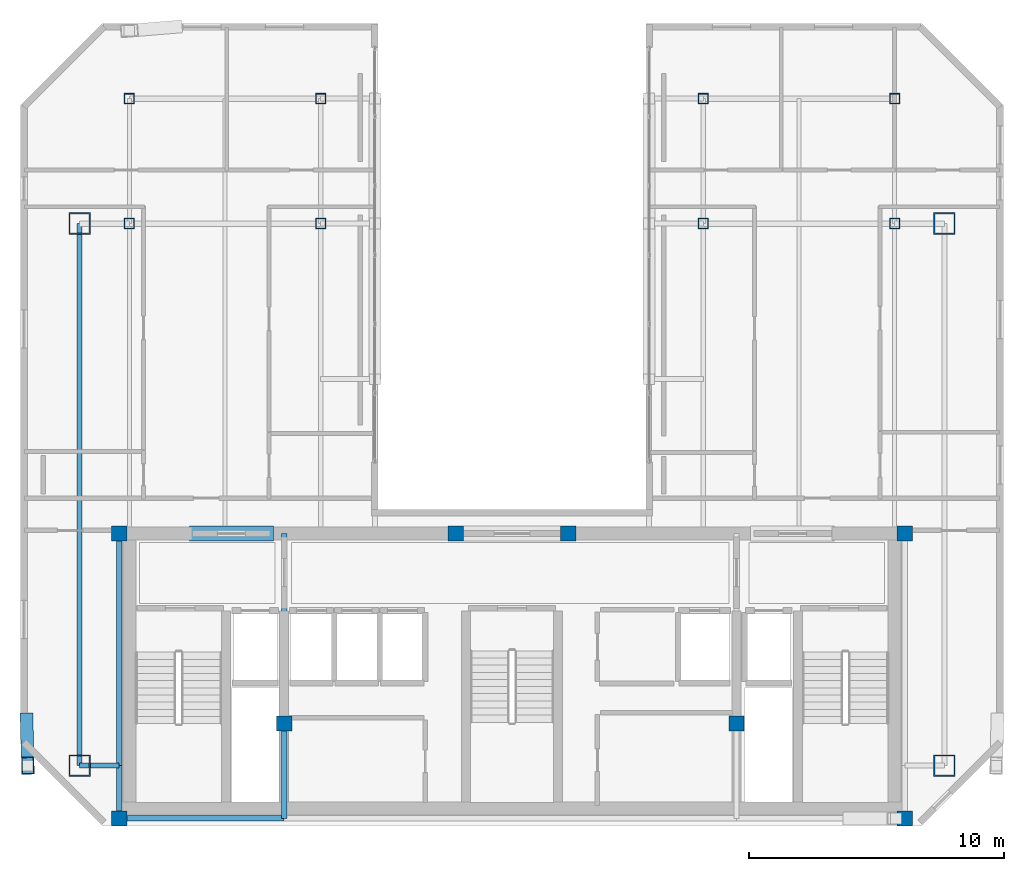
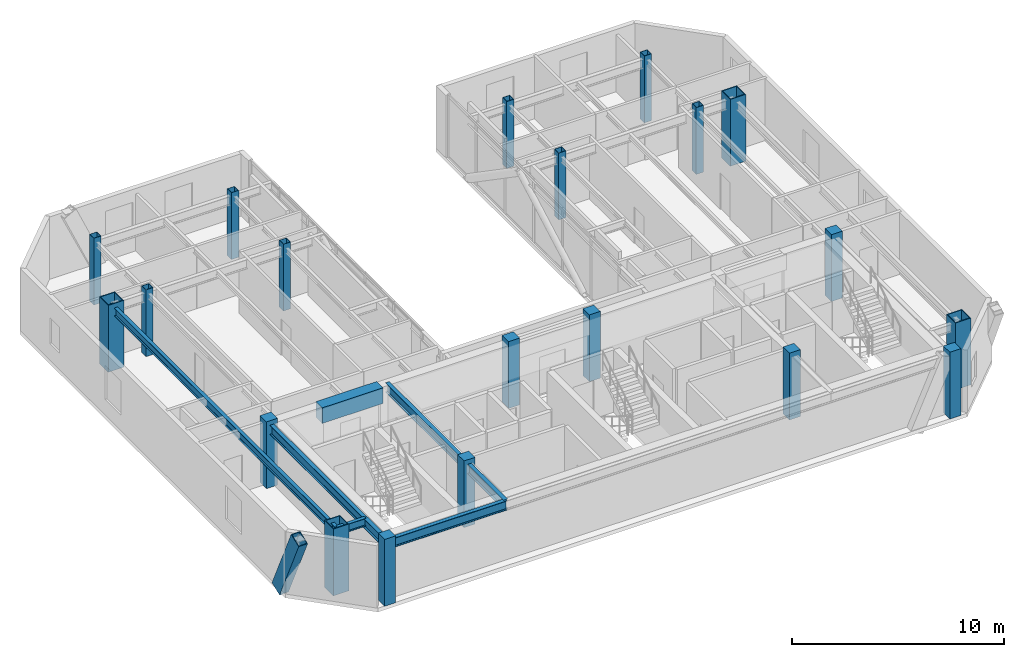
# One storey, part 1 of 19: 20 columns, 8 beams, 1 member.
"""IFC4 building model written with IfcOpenShell, lengths in metres."""

from ifc_helpers import new_model, si_unit, direction, frame, origin, origin_2d, place, context, subcontext, project, spatial, rectangle, hollow_rectangle, i_section, extrude, material, material_profile, profile_set, type_object, element, save


model = new_model("IFC4")

# Units and contexts
model_context = context("Model", 3, precision=1e-05, world=origin(), true_north=direction((0.0, 1.0)))
body_context = subcontext(model_context, "Body", "Model", "MODEL_VIEW")
ifc_project = project(units=[si_unit("LENGTHUNIT", "METRE"), si_unit("AREAUNIT", "SQUARE_METRE"), si_unit("VOLUMEUNIT", "CUBIC_METRE"), si_unit("PLANEANGLEUNIT", "RADIAN"), si_unit("MASSUNIT", "GRAM", prefix="KILO")], contexts=[model_context])

# Site, building, storey
site_placement = place(None, origin())
site = spatial("IfcSite", under=ifc_project, at=site_placement, CompositionType="ELEMENT")
building_placement = place(site_placement, origin())
building = spatial("IfcBuilding", under=site, at=building_placement, Name="Ventersveld Concourse Tower", CompositionType="ELEMENT")
storey_placement = place(building_placement, frame((0.0, 0.0, 345.199951171875)))
storey = spatial("IfcBuildingStorey", under=building, at=storey_placement, Name="L85", CompositionType="ELEMENT", Elevation=345.199951171875)

# Columns
ifc_material_1 = material(Name="Concrete C50/60", Category="concrete")
ifc_material_profile_1 = material_profile(ifc_material_1, rectangle(XDim=0.60009765625, YDim=0.60009765625, at=origin_2d()), Name="RC 600x600")
ifc_profile_set_1 = profile_set([ifc_material_profile_1], Name="Concrete C50/60")
column_type_1 = type_object("IfcColumnType", Name="COL-RC600", PredefinedType="COLUMN", material=ifc_profile_set_1)
for number, where, z_axis, x_axis, name in (
    (1, (13.35009765625, 0.280029296875, 0.0), (0.0, 0.0, 1.0), (1.0, 0.0, 0.0), "L85 Core Spine Column CC-SW"),
    (2, (44.14990234375, 0.280029296875, 0.0), (0.0, 0.0, 1.0), (1.0, 0.0, 0.0), "L85 Core Spine Column CC-SE"),
    (3, (13.35009765625, 11.449951171875, 0.0), (0.0, 0.0, 1.0), (1.0, 0.0, 0.0), "L85 Core Spine Column CC-NW"),
    (4, (44.14990234375, 11.449951171875, 0.0), (0.0, 0.0, 1.0), (1.0, 0.0, 0.0), "L85 Core Spine Column CC-NE"),
    (5, (19.820068359375, 4.0, 0.0), (0.0, 0.0, 1.0), (1.0, 0.0, 0.0), "L85 Core Spine Column CM-1"),
    (6, (37.550048828125, 4.0, 0.0), (0.0, 0.0, 1.0), (1.0, 0.0, 0.0), "L85 Core Spine Column CM-2"),
    (7, (26.550048828125, 11.449951171875, 0.0), (0.0, 0.0, 1.0), (1.0, 0.0, 0.0), "L85 Core Spine Column CM-3"),
    (8, (30.949951171875, 11.449951171875, 0.0), (0.0, 0.0, 1.0), (1.0, 0.0, 0.0), "L85 Core Spine Column CM-4"),
):
    element("IfcColumn", number, at=place(storey_placement, frame(where, z_axis=z_axis, x_axis=x_axis)), inside=storey, type_object=column_type_1, Name=name, PredefinedType="COLUMN", context=body_context, shape_type="SweptSolid", body=[
        extrude(rectangle(XDim=0.60009765625, YDim=0.60009765625, at=origin_2d()), origin(), (0.0, 0.0, 1.0), 3.85009765625),
    ])
ifc_material_2 = material(Name="Structural steel S355J2", Category="steel")
ifc_material_profile_2 = material_profile(ifc_material_2, hollow_rectangle(XDim=0.39990234375, YDim=0.39990234375, WallThickness=0.02001953125, at=origin_2d()), Name="SHS 400x400x20")
ifc_profile_set_2 = profile_set([ifc_material_profile_2], Name="Structural steel S355J2")
column_type_2 = type_object("IfcColumnType", Name="COL-SHS400", PredefinedType="COLUMN", material=ifc_profile_set_2)
for number, where, z_axis, x_axis, name in (
    (9, (13.75, 23.60009765625, 0.0), (0.0, 0.0, 1.0), (1.0, 0.0, 0.0), "L85 Interior Gravity Column X=13.75 Y=23.60"),
    (10, (21.25, 23.60009765625, 0.0), (0.0, 0.0, 1.0), (1.0, 0.0, 0.0), "L85 Interior Gravity Column X=21.25 Y=23.60"),
    (11, (36.25, 23.60009765625, 0.0), (0.0, 0.0, 1.0), (1.0, 0.0, 0.0), "L85 Interior Gravity Column X=36.25 Y=23.60"),
    (12, (43.75, 23.60009765625, 0.0), (0.0, 0.0, 1.0), (1.0, 0.0, 0.0), "L85 Interior Gravity Column X=43.75 Y=23.60"),
    (13, (13.75, 28.5, 0.0), (0.0, 0.0, 1.0), (1.0, 0.0, 0.0), "L85 Upper-North Gravity Column X=13.75 Y=28.50"),
    (14, (21.25, 28.5, 0.0), (0.0, 0.0, 1.0), (1.0, 0.0, 0.0), "L85 Upper-North Gravity Column X=21.25 Y=28.50"),
    (15, (36.25, 28.5, 0.0), (0.0, 0.0, 1.0), (1.0, 0.0, 0.0), "L85 Upper-North Gravity Column X=36.25 Y=28.50"),
    (16, (43.75, 28.5, 0.0), (0.0, 0.0, 1.0), (1.0, 0.0, 0.0), "L85 Upper-North Gravity Column X=43.75 Y=28.50"),
):
    element("IfcColumn", number, at=place(storey_placement, frame(where, z_axis=z_axis, x_axis=x_axis)), inside=storey, type_object=column_type_2, Name=name, PredefinedType="COLUMN", context=body_context, shape_type="SweptSolid", body=[
        extrude(hollow_rectangle(XDim=0.39990234375, YDim=0.39990234375, WallThickness=0.02001953125, at=origin_2d()), origin(), (0.0, 0.0, 1.0), 3.85009765625),
    ])
ifc_material_3 = material(Name="Structural steel S460ML", Category="steel")
ifc_material_profile_3 = material_profile(ifc_material_3, hollow_rectangle(XDim=0.85009765625, YDim=0.85009765625, WallThickness=0.050048828125, at=origin_2d()), Name="BOX 850x850x50")
ifc_profile_set_3 = profile_set([ifc_material_profile_3], Name="Structural steel S460ML")
column_type_3 = type_object("IfcColumnType", Name="MC-850", PredefinedType="USERDEFINED", material=ifc_profile_set_3)
for number, where, z_axis, x_axis, name in (
    (17, (11.800048828125, 2.35009765625, 0.0), (0.0, 0.0, 1.0), (1.0, 0.0, 0.0), "L85 Corner Mega-Column MC-SW"),
    (18, (45.699951171875, 2.35009765625, 0.0), (0.0, 0.0, 1.0), (1.0, 0.0, 0.0), "L85 Corner Mega-Column MC-SE"),
    (19, (45.699951171875, 23.60009765625, 0.0), (0.0, 0.0, 1.0), (1.0, 0.0, 0.0), "L85 Corner Mega-Column MC-NE"),
    (20, (11.800048828125, 23.60009765625, 0.0), (0.0, 0.0, 1.0), (1.0, 0.0, 0.0), "L85 Corner Mega-Column MC-NW"),
):
    element("IfcColumn", number, at=place(storey_placement, frame(where, z_axis=z_axis, x_axis=x_axis)), inside=storey, type_object=column_type_3, Name=name, ObjectType="MEGA_COLUMN", PredefinedType="USERDEFINED", context=body_context, shape_type="SweptSolid", body=[
        extrude(hollow_rectangle(XDim=0.85009765625, YDim=0.85009765625, WallThickness=0.050048828125, at=origin_2d()), origin(), (0.0, 0.0, 1.0), 3.85009765625),
    ])

# Beams
ifc_material_profile_4 = material_profile(ifc_material_1, rectangle(XDim=0.60009765625, YDim=0.89990234375, at=origin_2d()), Name="RC 600x900")
ifc_profile_set_4 = profile_set([ifc_material_profile_4], Name="Concrete C50/60")
beam_type_1 = type_object("IfcBeamType", Name="CB-RC600x900U", PredefinedType="LINTEL", material=ifc_profile_set_4)
beam_1_placement = place(storey_placement, frame((16.10009765625, 11.449951171875, 3.14013671875), z_axis=(1.0, 0.0, 0.0), x_axis=(0.0, 1.0, 0.0)))
element("IfcBeam", 21, at=beam_1_placement, inside=storey, type_object=beam_type_1, Name="L85 Core Coupling Lintel Beam 1", PredefinedType="LINTEL", context=body_context, shape_type="SweptSolid", body=[
    extrude(rectangle(XDim=0.60009765625, YDim=0.89990234375, at=origin_2d()), origin(), (0.0, 0.0, 1.0), 3.2998046875),
])
ifc_material_profile_5 = material_profile(ifc_material_2, i_section(OverallWidth=0.2119140625, OverallDepth=0.54443359375, WebThickness=0.0126953125, FlangeThickness=0.021240234375, FilletRadius=0.0126953125, at=origin_2d()), Name="UB 533x210x122")
ifc_profile_set_5 = profile_set([ifc_material_profile_5], Name="Structural steel S355J2")
beam_type_2 = type_object("IfcBeamType", Name="GRD-UB533H", PredefinedType="T_BEAM", material=ifc_profile_set_5)
beam_2_placement = place(storey_placement, frame((13.35009765625, 0.280029296875, 3.31787109375), z_axis=(0.0, 1.0, 0.0), x_axis=(-1.0, 0.0, 0.0)))
element("IfcBeam", 22, at=beam_2_placement, inside=storey, type_object=beam_type_2, Name="L85 Core West Tie Beam S", PredefinedType="T_BEAM", context=body_context, shape_type="SweptSolid", body=[
    extrude(i_section(OverallWidth=0.2119140625, OverallDepth=0.54443359375, WebThickness=0.0126953125, FlangeThickness=0.021240234375, FilletRadius=0.0126953125, at=origin_2d()), origin(), (0.0, 0.0, 1.0), 2.070068359375),
])
beam_3_placement = place(storey_placement, frame((13.35009765625, 2.35009765625, 3.31787109375), z_axis=(0.0, 1.0, 0.0), x_axis=(-1.0, 0.0, 0.0)))
element("IfcBeam", 23, at=beam_3_placement, inside=storey, type_object=beam_type_2, Name="L85 Core West Tie Beam N", PredefinedType="T_BEAM", context=body_context, shape_type="SweptSolid", body=[
    extrude(i_section(OverallWidth=0.2119140625, OverallDepth=0.54443359375, WebThickness=0.0126953125, FlangeThickness=0.021240234375, FilletRadius=0.0126953125, at=origin_2d()), origin(), (0.0, 0.0, 1.0), 9.099853515625),
])
beam_4_placement = place(storey_placement, frame((13.35009765625, 0.280029296875, 3.31787109375), z_axis=(1.0, 0.0, 0.0), x_axis=(0.0, 1.0, 0.0)))
element("IfcBeam", 24, at=beam_4_placement, inside=storey, type_object=beam_type_2, Name="L85 Core South Tie Beam W", PredefinedType="T_BEAM", context=body_context, shape_type="SweptSolid", body=[
    extrude(i_section(OverallWidth=0.2119140625, OverallDepth=0.54443359375, WebThickness=0.0126953125, FlangeThickness=0.021240234375, FilletRadius=0.0126953125, at=origin_2d()), origin(), (0.0, 0.0, 1.0), 6.469970703125),
])
beam_5_placement = place(storey_placement, frame((19.820068359375, 0.280029296875, 3.31787109375), z_axis=(0.0, 1.0, 0.0), x_axis=(-1.0, 0.0, 0.0)))
element("IfcBeam", 25, at=beam_5_placement, inside=storey, type_object=beam_type_2, Name="L85 Core Spine N-S Tie Beam W1", PredefinedType="T_BEAM", context=body_context, shape_type="SweptSolid", body=[
    extrude(i_section(OverallWidth=0.2119140625, OverallDepth=0.54443359375, WebThickness=0.0126953125, FlangeThickness=0.021240234375, FilletRadius=0.0126953125, at=origin_2d()), origin(), (0.0, 0.0, 1.0), 3.719970703125),
])
beam_6_placement = place(storey_placement, frame((19.820068359375, 4.0, 3.31787109375), z_axis=(0.0, 1.0, 0.0), x_axis=(-1.0, 0.0, 0.0)))
element("IfcBeam", 26, at=beam_6_placement, inside=storey, type_object=beam_type_2, Name="L85 Core Spine N-S Tie Beam W2", PredefinedType="T_BEAM", context=body_context, shape_type="SweptSolid", body=[
    extrude(i_section(OverallWidth=0.2119140625, OverallDepth=0.54443359375, WebThickness=0.0126953125, FlangeThickness=0.021240234375, FilletRadius=0.0126953125, at=origin_2d()), origin(), (0.0, 0.0, 1.0), 7.449951171875),
])

# Member
ifc_material_4 = material(Name="Structural steel S355ML", Category="steel")
ifc_material_profile_6 = material_profile(ifc_material_4, hollow_rectangle(XDim=0.5, YDim=0.75, WallThickness=0.034912109375, at=origin_2d()), Name="BOX 750x500x35")
ifc_profile_set_6 = profile_set([ifc_material_profile_6], Name="Structural steel S355ML")
member_type = type_object("IfcMemberType", Name="MB-750x500", PredefinedType="BRACE", material=ifc_profile_set_6)
member_placement = place(storey_placement, frame((9.7216796875, 4.073974609375, -0.219970703125), z_axis=(0.011675262949, -0.412195158425, 0.911020767934), x_axis=(0.99959909973, 0.028313244575, 0.0)))
element("IfcMember", 27, at=member_placement, inside=storey, type_object=member_type, Name="L85 Exterior Mega-Brace W (Module M20)", PredefinedType="BRACE", context=body_context, shape_type="SweptSolid", body=[
    extrude(hollow_rectangle(XDim=0.5, YDim=0.75, WallThickness=0.034912109375, at=origin_2d()), origin(), (0.0, 0.0, 1.0), 4.18212890625),
])

# Beams
ifc_material_profile_7 = material_profile(ifc_material_2, i_section(OverallWidth=0.19140625, OverallDepth=0.4599609375, WebThickness=0.010009765625, FlangeThickness=0.01611328125, FilletRadius=0.01025390625, at=origin_2d()), Name="UB 457x191x82")
ifc_profile_set_7 = profile_set([ifc_material_profile_7], Name="Structural steel S355J2")
beam_type_3 = type_object("IfcBeamType", Name="SPD-UB457", PredefinedType="SPANDREL", material=ifc_profile_set_7)
beam_7_placement = place(storey_placement, frame((11.800048828125, 2.35009765625, 3.360107421875), z_axis=(1.0, 0.0, 0.0), x_axis=(0.0, 1.0, 0.0)))
element("IfcBeam", 28, at=beam_7_placement, inside=storey, type_object=beam_type_3, Name="L85 SW Spandrel Beam", PredefinedType="SPANDREL", context=body_context, shape_type="SweptSolid", body=[
    extrude(i_section(OverallWidth=0.19140625, OverallDepth=0.4599609375, WebThickness=0.010009765625, FlangeThickness=0.01611328125, FilletRadius=0.01025390625, at=origin_2d()), origin(), (0.0, 0.0, 1.0), 1.550048828125),
])
beam_8_placement = place(storey_placement, frame((11.800048828125, 2.35009765625, 3.360107421875), z_axis=(0.0, 1.0, 0.0), x_axis=(-1.0, 0.0, 0.0)))
element("IfcBeam", 29, at=beam_8_placement, inside=storey, type_object=beam_type_3, Name="L85 West Spandrel Beam", PredefinedType="SPANDREL", context=body_context, shape_type="SweptSolid", body=[
    extrude(i_section(OverallWidth=0.19140625, OverallDepth=0.4599609375, WebThickness=0.010009765625, FlangeThickness=0.01611328125, FilletRadius=0.01025390625, at=origin_2d()), origin(), (0.0, 0.0, 1.0), 21.25),
])

save(model, "model.ifc")
